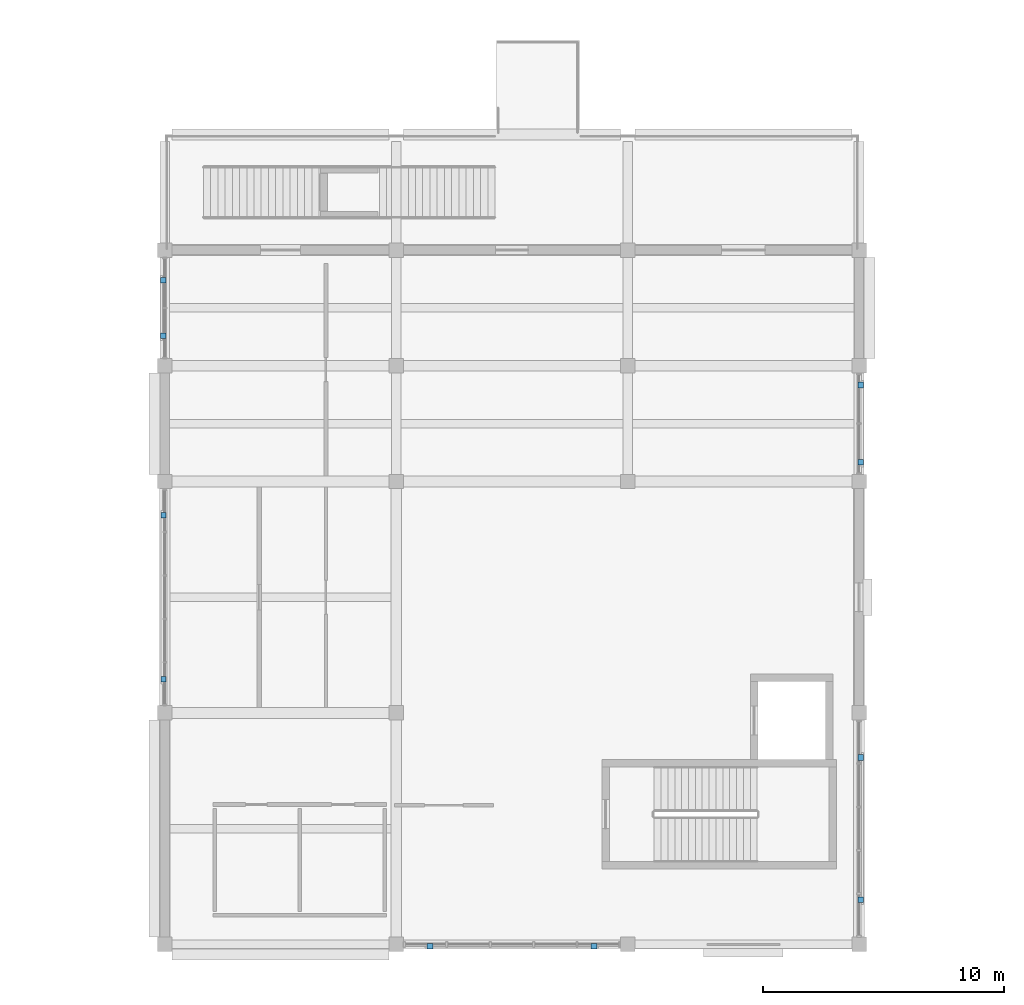
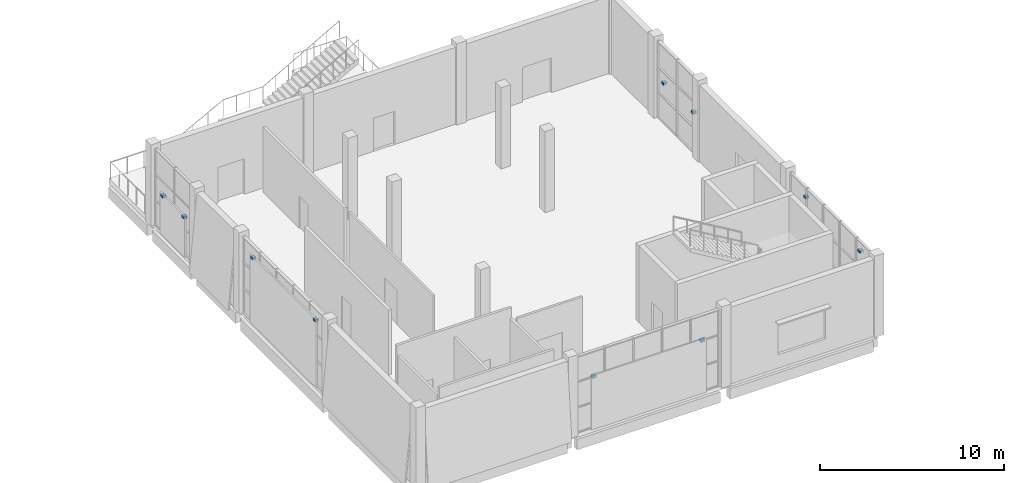
# One storey, part 54 of 72: 10 discrete accessories.
"""IFC4 building model written with IfcOpenShell, lengths in metres."""

import ifcopenshell
import ifcopenshell.guid

model = None  # the IFC model being written
_history = None  # IfcOwnerHistory: only IFC2X3 demands one
_inside = {}  # id of a spatial element -> (the spatial element, [elements in it])
_under = {}  # id of a project, library or spatial element -> (it, [spatial elements below it])
_declared = {}  # id of a project -> (the project, [libraries it declares])
_typed = {}  # id of a type object -> (the type object, [elements of that type])
_made_of = {}  # id of a material, layer set ... -> (it, [elements and type objects made of it])


def new_model(schema):
    """Start an empty IFC model of exactly this schema.

    Asked for "IFC4X3", IfcOpenShell would pick the latest addendum, in which some entities
    have other attributes; the version numbers below select the first issue.
    IFC2X3 requires an IfcOwnerHistory on every rooted entity: one is made here for all.
    """
    global model, _history
    if schema == "IFC4X3":
        model = ifcopenshell.file(schema_version=(4, 3, 0, 0))
    else:
        model = ifcopenshell.file(schema=schema)
    _inside.clear()
    _under.clear()
    _declared.clear()
    _typed.clear()
    _made_of.clear()
    _history = None
    if model.schema == "IFC2X3":
        org = make("IfcOrganization", Name="unknown")
        user = make(
            "IfcPersonAndOrganization",
            ThePerson=make("IfcPerson", FamilyName="unknown"),
            TheOrganization=org,
        )
        app = make(
            "IfcApplication",
            ApplicationDeveloper=org,
            Version="unknown",
            ApplicationFullName="unknown",
            ApplicationIdentifier="unknown",
        )
        _history = make(
            "IfcOwnerHistory",
            OwningUser=user,
            OwningApplication=app,
            ChangeAction="ADDED",
            CreationDate=0,
        )
    return model


def make(cls, **values):
    """One entity of the class cls with the attributes given. An attribute that is None is left unset."""
    return model.create_entity(
        cls, **{name: value for name, value in values.items() if value is not None}
    )


def rooted(cls, **values):
    """An entity with a GlobalId (a new one), such as an element, a storey or a relation."""
    return make(cls, GlobalId=ifcopenshell.guid.new(), OwnerHistory=_history, **values)


def si_unit(unit_type, name, prefix=None):
    """IfcSIUnit, for example si_unit("LENGTHUNIT", "METRE", prefix="MILLI")."""
    return make("IfcSIUnit", UnitType=unit_type, Prefix=prefix, Name=name)


def assignment(units):
    """IfcUnitAssignment: the units of a project."""
    return None if units is None else make("IfcUnitAssignment", Units=units)


def point(xyz):
    """IfcCartesianPoint."""
    return None if xyz is None else make("IfcCartesianPoint", Coordinates=xyz)


def direction(xyz):
    """IfcDirection."""
    return None if xyz is None else make("IfcDirection", DirectionRatios=xyz)


def frame(location, z_axis=None, x_axis=None):
    """IfcAxis2Placement3D, a coordinate frame: its origin and axes. An axis left out is left unset."""
    return make(
        "IfcAxis2Placement3D",
        Location=point(location),
        Axis=direction(z_axis),
        RefDirection=direction(x_axis),
    )


def frame_2d(location, x_axis=None):
    """IfcAxis2Placement2D, a coordinate frame in the plane: its origin and x axis."""
    return make(
        "IfcAxis2Placement2D", Location=point(location), RefDirection=direction(x_axis)
    )


def origin():
    """The frame at (0, 0, 0) with its axes left unset."""
    return frame((0.0, 0.0, 0.0))


def origin_2d():
    """The frame at (0, 0) in the plane with its x axis left unset."""
    return frame_2d((0.0, 0.0))


def place(relative_to, where):
    """IfcLocalPlacement: puts the frame where relative to a parent placement (None: the world)."""
    return make(
        "IfcLocalPlacement", PlacementRelTo=relative_to, RelativePlacement=where
    )


def context(
    kind, dimensions, precision=None, world=None, true_north=None, identifier=None
):
    """IfcGeometricRepresentationContext, for example the 3D "Model" context."""
    return make(
        "IfcGeometricRepresentationContext",
        ContextIdentifier=identifier,
        ContextType=kind,
        CoordinateSpaceDimension=dimensions,
        Precision=precision,
        WorldCoordinateSystem=world,
        TrueNorth=true_north,
    )


def subcontext(parent, identifier, kind, view, scale=None):
    """IfcGeometricRepresentationSubContext, for example "Body" below "Model"."""
    return make(
        "IfcGeometricRepresentationSubContext",
        ContextIdentifier=identifier,
        ContextType=kind,
        ParentContext=parent,
        TargetScale=scale,
        TargetView=view,
    )


def project(units=None, contexts=None):
    """IfcProject with its units and contexts."""
    return rooted(
        "IfcProject",
        Name="project",
        RepresentationContexts=contexts,
        UnitsInContext=assignment(units),
    )


def spatial(cls, under=None, at=None, **own):
    """A site, building, storey or space (cls), placed at a placement, below another one or the project."""
    s = rooted(cls, ObjectPlacement=at, **own)
    if under is not None:
        _under.setdefault(under.id(), (under, []))[1].append(s)
    return s


def profile(cls, at=None, kind="AREA", **sizes):
    """A parametric profile (cls). Its sizes go by their IFC names, for example OverallWidth=200.0."""
    return make(cls, ProfileType=kind, Position=at, **sizes)


def rectangle(**sizes):
    """IfcRectangleProfileDef."""
    return profile("IfcRectangleProfileDef", **sizes)


def extrude(swept, where, along, depth):
    """IfcExtrudedAreaSolid: the profile swept, set in the frame where, extruded along a direction by depth."""
    return make(
        "IfcExtrudedAreaSolid",
        SweptArea=swept,
        Position=where,
        ExtrudedDirection=direction(along),
        Depth=depth,
    )


def shape(context_of_items, identifier, shape_type, items):
    """IfcShapeRepresentation: the items that make up one representation, for example the "Body"."""
    return make(
        "IfcShapeRepresentation",
        ContextOfItems=context_of_items,
        RepresentationIdentifier=identifier,
        RepresentationType=shape_type,
        Items=items,
    )


def material(Name=None, Category=None):
    """IfcMaterial."""
    return make("IfcMaterial", Name=Name, Category=Category)


def made_of(thing, what):
    """Note that an element or type object is made of a material, layer set ...; save() writes the relation."""
    if what is not None:
        _made_of.setdefault(what.id(), (what, []))[1].append(thing)
    return thing


def type_object(cls, material=None, **own):
    """A type object (cls), such as IfcWallType, which elements share."""
    return made_of(rooted(cls, **own), material)


def element(
    cls,
    number,
    at=None,
    inside=None,
    cuts=None,
    type_object=None,
    material=None,
    context=None,
    identifier="Body",
    shape_type=None,
    held_by="IfcProductDefinitionShape",
    body=None,
    shapes=None,
    **own,
):
    """One element of the class cls, such as IfcWall. Its Tag is "e" and its number.

    at: its placement. inside: the storey or other place that contains it. cuts: it is an
    opening in that element (IfcRelVoidsElement). A single representation is given by context,
    identifier, shape_type and body (its items); several are given by shapes. held_by: the class
    of the entity that holds the representations. save() writes the other relations.
    """
    e = rooted(cls, Tag="e%d" % number, ObjectPlacement=at, **own)
    if body is not None:
        shapes = [shape(context, identifier, shape_type, body)]
    if shapes is not None:
        e.Representation = make(held_by, Representations=shapes)
    if inside is not None:
        _inside.setdefault(inside.id(), (inside, []))[1].append(e)
    if cuts is not None:
        rooted(
            "IfcRelVoidsElement", RelatingBuildingElement=cuts, RelatedOpeningElement=e
        )
    if type_object is not None:
        _typed.setdefault(type_object.id(), (type_object, []))[1].append(e)
    return made_of(e, material)


def aggregate(whole, parts):
    """IfcRelAggregates: a whole, such as a stair, and the parts it consists of."""
    return rooted("IfcRelAggregates", RelatingObject=whole, RelatedObjects=parts)


def save(model, path):
    """Write the relations noted so far, then the file.

    IfcRelAggregates (storeys below a building ...), IfcRelContainedInSpatialStructure (elements
    in a storey), IfcRelDefinesByType, IfcRelAssociatesMaterial and IfcRelDeclares: one each for
    every whole, place, type object, material and project.
    """
    for whole, parts in _under.values():
        aggregate(whole, parts)
    for where, things in _inside.values():
        rooted(
            "IfcRelContainedInSpatialStructure",
            RelatedElements=things,
            RelatingStructure=where,
        )
    for kind, things in _typed.values():
        rooted("IfcRelDefinesByType", RelatedObjects=things, RelatingType=kind)
    for what, things in _made_of.values():
        rooted("IfcRelAssociatesMaterial", RelatedObjects=things, RelatingMaterial=what)
    for by, libraries in _declared.values():
        rooted("IfcRelDeclares", RelatingContext=by, RelatedDefinitions=libraries)
    model.write(path)


model = new_model("IFC4")

# Units and contexts
model_context = context("Model", 3, precision=1e-05, world=origin(), true_north=direction((0.0, 1.0)))
body_context = subcontext(model_context, "Body", "Model", "MODEL_VIEW")
ifc_project = project(units=[si_unit("LENGTHUNIT", "METRE"), si_unit("AREAUNIT", "SQUARE_METRE"), si_unit("VOLUMEUNIT", "CUBIC_METRE"), si_unit("PLANEANGLEUNIT", "RADIAN"), si_unit("MASSUNIT", "GRAM", prefix="KILO")], contexts=[model_context])

# Site, building, storey
site_placement = place(None, origin())
site = spatial("IfcSite", under=ifc_project, at=site_placement, CompositionType="ELEMENT")
building_placement = place(site_placement, origin())
building = spatial("IfcBuilding", under=site, at=building_placement, Name="Shalvenor Court Art Gallery", CompositionType="ELEMENT")
storey_placement = place(building_placement, frame((0.0, 0.0, 11.39990234375)))
storey = spatial("IfcBuildingStorey", under=building, at=storey_placement, Name="L02", CompositionType="ELEMENT", Elevation=11.39990234375)

# Discrete accessories
ifc_material = material(Name="Stainless steel anchor bracket", Category="steel")
discrete_accessory_type = type_object("IfcDiscreteAccessoryType", Name="BRK-01", PredefinedType="BRACKET", material=ifc_material)
for number, where, z_axis, x_axis, name in (
    (1, (124.866455078125, 23.199951171875, 2.47021484375), (0.0, 0.0, 1.0), (0.0, -1.0, 0.0), "L02 Lattice Anchor Bracket 177"),
    (2, (124.866455078125, 20.0, 2.47021484375), (0.0, 0.0, 1.0), (0.0, -1.0, 0.0), "L02 Lattice Anchor Bracket 178"),
    (3, (124.87158203125, 7.75, 4.27001953125), (0.0, 0.0, 1.0), (0.0, -1.0, 0.0), "L02 Lattice Anchor Bracket 179"),
    (4, (124.87158203125, 1.85009765625, 4.27001953125), (0.0, 0.0, 1.0), (0.0, -1.0, 0.0), "L02 Lattice Anchor Bracket 180"),
    (5, (113.800048828125, -0.076416015625, 3.3701171875), (0.0, 0.0, 1.0), (-1.0, 0.0, 0.0), "L02 Lattice Anchor Bracket 181"),
    (6, (107.0, -0.076416015625, 3.3701171875), (0.0, 0.0, 1.0), (-1.0, 0.0, 0.0), "L02 Lattice Anchor Bracket 182"),
    (7, (95.943603515625, 11.0, 4.27001953125), (0.0, 0.0, 1.0), (0.0, 1.0, 0.0), "L02 Lattice Anchor Bracket 183"),
    (8, (95.943603515625, 17.800048828125, 4.27001953125), (0.0, 0.0, 1.0), (0.0, 1.0, 0.0), "L02 Lattice Anchor Bracket 184"),
    (9, (95.934814453125, 25.25, 2.47021484375), (0.0, 0.0, 1.0), (0.0, 1.0, 0.0), "L02 Lattice Anchor Bracket 185"),
    (10, (95.934814453125, 27.550048828125, 2.47021484375), (0.0, 0.0, 1.0), (0.0, 1.0, 0.0), "L02 Lattice Anchor Bracket 186"),
):
    element("IfcDiscreteAccessory", number, at=place(storey_placement, frame(where, z_axis=z_axis, x_axis=x_axis)), inside=storey, type_object=discrete_accessory_type, Name=name, PredefinedType="BRACKET", context=body_context, shape_type="SweptSolid", body=[
        extrude(rectangle(XDim=0.239990234375, YDim=0.219970703125, at=origin_2d()), origin(), (0.0, 0.0, 1.0), 0.159912109375),
    ])

save(model, "model.ifc")
